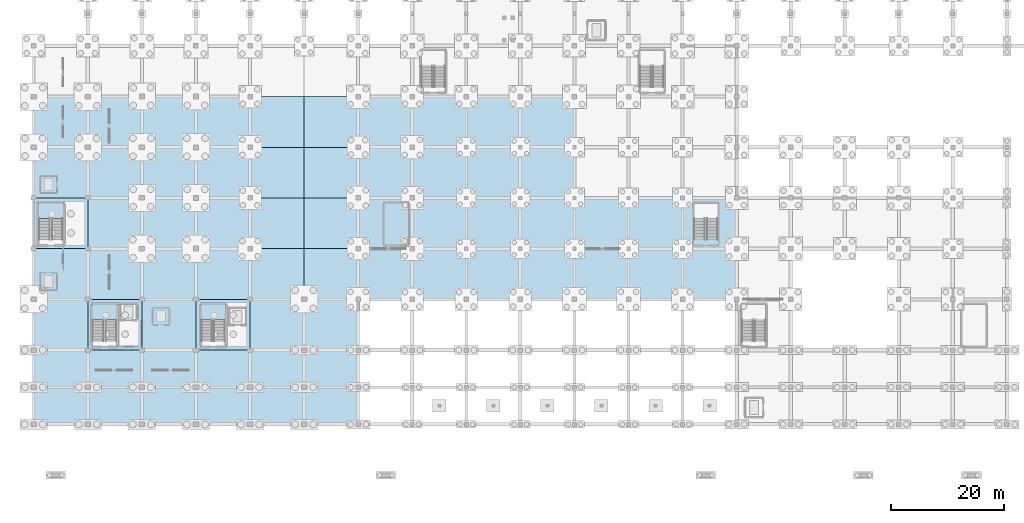
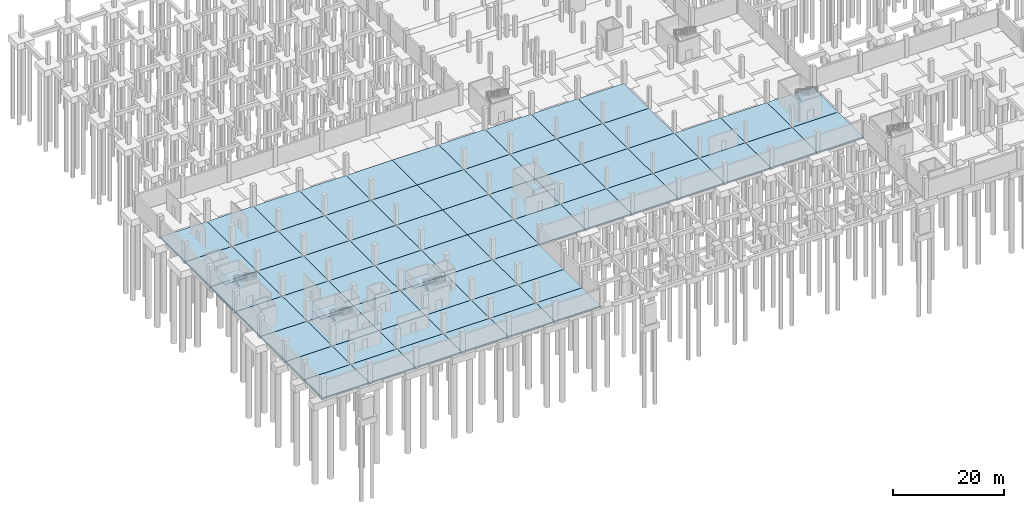
# One storey, part 22 of 39: 67 slabs, 3 elements without a shape of their own.
"""IFC4 building model written with IfcOpenShell, lengths in metres."""

import ifcopenshell
import ifcopenshell.guid

model = None  # the IFC model being written
_history = None  # IfcOwnerHistory: only IFC2X3 demands one
_inside = {}  # id of a spatial element -> (the spatial element, [elements in it])
_under = {}  # id of a project, library or spatial element -> (it, [spatial elements below it])
_declared = {}  # id of a project -> (the project, [libraries it declares])
_typed = {}  # id of a type object -> (the type object, [elements of that type])
_made_of = {}  # id of a material, layer set ... -> (it, [elements and type objects made of it])


def new_model(schema):
    """Start an empty IFC model of exactly this schema.

    Asked for "IFC4X3", IfcOpenShell would pick the latest addendum, in which some entities
    have other attributes; the version numbers below select the first issue.
    IFC2X3 requires an IfcOwnerHistory on every rooted entity: one is made here for all.
    """
    global model, _history
    if schema == "IFC4X3":
        model = ifcopenshell.file(schema_version=(4, 3, 0, 0))
    else:
        model = ifcopenshell.file(schema=schema)
    _inside.clear()
    _under.clear()
    _declared.clear()
    _typed.clear()
    _made_of.clear()
    _history = None
    if model.schema == "IFC2X3":
        org = make("IfcOrganization", Name="unknown")
        user = make(
            "IfcPersonAndOrganization",
            ThePerson=make("IfcPerson", FamilyName="unknown"),
            TheOrganization=org,
        )
        app = make(
            "IfcApplication",
            ApplicationDeveloper=org,
            Version="unknown",
            ApplicationFullName="unknown",
            ApplicationIdentifier="unknown",
        )
        _history = make(
            "IfcOwnerHistory",
            OwningUser=user,
            OwningApplication=app,
            ChangeAction="ADDED",
            CreationDate=0,
        )
    return model


def make(cls, **values):
    """One entity of the class cls with the attributes given. An attribute that is None is left unset."""
    return model.create_entity(
        cls, **{name: value for name, value in values.items() if value is not None}
    )


def rooted(cls, **values):
    """An entity with a GlobalId (a new one), such as an element, a storey or a relation."""
    return make(cls, GlobalId=ifcopenshell.guid.new(), OwnerHistory=_history, **values)


def si_unit(unit_type, name, prefix=None):
    """IfcSIUnit, for example si_unit("LENGTHUNIT", "METRE", prefix="MILLI")."""
    return make("IfcSIUnit", UnitType=unit_type, Prefix=prefix, Name=name)


def assignment(units):
    """IfcUnitAssignment: the units of a project."""
    return None if units is None else make("IfcUnitAssignment", Units=units)


def point(xyz):
    """IfcCartesianPoint."""
    return None if xyz is None else make("IfcCartesianPoint", Coordinates=xyz)


def direction(xyz):
    """IfcDirection."""
    return None if xyz is None else make("IfcDirection", DirectionRatios=xyz)


def frame(location, z_axis=None, x_axis=None):
    """IfcAxis2Placement3D, a coordinate frame: its origin and axes. An axis left out is left unset."""
    return make(
        "IfcAxis2Placement3D",
        Location=point(location),
        Axis=direction(z_axis),
        RefDirection=direction(x_axis),
    )


def origin():
    """The frame at (0, 0, 0) with its axes left unset."""
    return frame((0.0, 0.0, 0.0))


def place(relative_to, where):
    """IfcLocalPlacement: puts the frame where relative to a parent placement (None: the world)."""
    return make(
        "IfcLocalPlacement", PlacementRelTo=relative_to, RelativePlacement=where
    )


def context(
    kind, dimensions, precision=None, world=None, true_north=None, identifier=None
):
    """IfcGeometricRepresentationContext, for example the 3D "Model" context."""
    return make(
        "IfcGeometricRepresentationContext",
        ContextIdentifier=identifier,
        ContextType=kind,
        CoordinateSpaceDimension=dimensions,
        Precision=precision,
        WorldCoordinateSystem=world,
        TrueNorth=true_north,
    )


def subcontext(parent, identifier, kind, view, scale=None):
    """IfcGeometricRepresentationSubContext, for example "Body" below "Model"."""
    return make(
        "IfcGeometricRepresentationSubContext",
        ContextIdentifier=identifier,
        ContextType=kind,
        ParentContext=parent,
        TargetScale=scale,
        TargetView=view,
    )


def project(units=None, contexts=None):
    """IfcProject with its units and contexts."""
    return rooted(
        "IfcProject",
        Name="project",
        RepresentationContexts=contexts,
        UnitsInContext=assignment(units),
    )


def spatial(cls, under=None, at=None, **own):
    """A site, building, storey or space (cls), placed at a placement, below another one or the project."""
    s = rooted(cls, ObjectPlacement=at, **own)
    if under is not None:
        _under.setdefault(under.id(), (under, []))[1].append(s)
    return s


def polyline(points):
    """IfcPolyline through the points."""
    return make("IfcPolyline", Points=[point(p) for p in points])


def outline(outer, holes=None, kind="AREA"):
    """IfcArbitraryClosedProfileDef: a profile drawn as a closed curve; with holes, ...WithVoids."""
    if holes is None:
        return make("IfcArbitraryClosedProfileDef", ProfileType=kind, OuterCurve=outer)
    return make(
        "IfcArbitraryProfileDefWithVoids",
        ProfileType=kind,
        OuterCurve=outer,
        InnerCurves=holes,
    )


def extrude(swept, where, along, depth):
    """IfcExtrudedAreaSolid: the profile swept, set in the frame where, extruded along a direction by depth."""
    return make(
        "IfcExtrudedAreaSolid",
        SweptArea=swept,
        Position=where,
        ExtrudedDirection=direction(along),
        Depth=depth,
    )


def shape(context_of_items, identifier, shape_type, items):
    """IfcShapeRepresentation: the items that make up one representation, for example the "Body"."""
    return make(
        "IfcShapeRepresentation",
        ContextOfItems=context_of_items,
        RepresentationIdentifier=identifier,
        RepresentationType=shape_type,
        Items=items,
    )


def material(Name=None, Category=None):
    """IfcMaterial."""
    return make("IfcMaterial", Name=Name, Category=Category)


def layer(
    of_material, thickness, ventilated=None, Name=None, Category=None, Priority=None
):
    """IfcMaterialLayer: one layer of a wall or slab, of a material (None: an air gap)."""
    return make(
        "IfcMaterialLayer",
        Material=of_material,
        LayerThickness=thickness,
        IsVentilated=ventilated,
        Name=Name,
        Category=Category,
        Priority=Priority,
    )


def layer_set(layers, Name=None):
    """IfcMaterialLayerSet."""
    return make("IfcMaterialLayerSet", MaterialLayers=layers, LayerSetName=Name)


def made_of(thing, what):
    """Note that an element or type object is made of a material, layer set ...; save() writes the relation."""
    if what is not None:
        _made_of.setdefault(what.id(), (what, []))[1].append(thing)
    return thing


def type_object(cls, material=None, **own):
    """A type object (cls), such as IfcWallType, which elements share."""
    return made_of(rooted(cls, **own), material)


def element(
    cls,
    number,
    at=None,
    inside=None,
    cuts=None,
    type_object=None,
    material=None,
    context=None,
    identifier="Body",
    shape_type=None,
    held_by="IfcProductDefinitionShape",
    body=None,
    shapes=None,
    **own,
):
    """One element of the class cls, such as IfcWall. Its Tag is "e" and its number.

    at: its placement. inside: the storey or other place that contains it. cuts: it is an
    opening in that element (IfcRelVoidsElement). A single representation is given by context,
    identifier, shape_type and body (its items); several are given by shapes. held_by: the class
    of the entity that holds the representations. save() writes the other relations.
    """
    e = rooted(cls, Tag="e%d" % number, ObjectPlacement=at, **own)
    if body is not None:
        shapes = [shape(context, identifier, shape_type, body)]
    if shapes is not None:
        e.Representation = make(held_by, Representations=shapes)
    if inside is not None:
        _inside.setdefault(inside.id(), (inside, []))[1].append(e)
    if cuts is not None:
        rooted(
            "IfcRelVoidsElement", RelatingBuildingElement=cuts, RelatedOpeningElement=e
        )
    if type_object is not None:
        _typed.setdefault(type_object.id(), (type_object, []))[1].append(e)
    return made_of(e, material)


def aggregate(whole, parts):
    """IfcRelAggregates: a whole, such as a stair, and the parts it consists of."""
    return rooted("IfcRelAggregates", RelatingObject=whole, RelatedObjects=parts)


def save(model, path):
    """Write the relations noted so far, then the file.

    IfcRelAggregates (storeys below a building ...), IfcRelContainedInSpatialStructure (elements
    in a storey), IfcRelDefinesByType, IfcRelAssociatesMaterial and IfcRelDeclares: one each for
    every whole, place, type object, material and project.
    """
    for whole, parts in _under.values():
        aggregate(whole, parts)
    for where, things in _inside.values():
        rooted(
            "IfcRelContainedInSpatialStructure",
            RelatedElements=things,
            RelatingStructure=where,
        )
    for kind, things in _typed.values():
        rooted("IfcRelDefinesByType", RelatedObjects=things, RelatingType=kind)
    for what, things in _made_of.values():
        rooted("IfcRelAssociatesMaterial", RelatedObjects=things, RelatingMaterial=what)
    for by, libraries in _declared.values():
        rooted("IfcRelDeclares", RelatingContext=by, RelatedDefinitions=libraries)
    model.write(path)


model = new_model("IFC4")

# Units and contexts
model_context = context("Model", 3, precision=1e-05, world=origin(), true_north=direction((0.0, 1.0)))
body_context = subcontext(model_context, "Body", "Model", "MODEL_VIEW")
ifc_project = project(units=[si_unit("LENGTHUNIT", "METRE"), si_unit("AREAUNIT", "SQUARE_METRE"), si_unit("VOLUMEUNIT", "CUBIC_METRE"), si_unit("PLANEANGLEUNIT", "RADIAN"), si_unit("MASSUNIT", "GRAM", prefix="KILO")], contexts=[model_context])

# Site, building, storey
site_placement = place(None, origin())
site = spatial("IfcSite", under=ifc_project, at=site_placement, CompositionType="ELEMENT")
building_placement = place(site_placement, origin())
building = spatial("IfcBuilding", under=site, at=building_placement, Name="Zarnetskaya Central Station", CompositionType="ELEMENT")
storey_placement = place(building_placement, frame((0.0, 0.0, -4.800048828125)))
storey = spatial("IfcBuildingStorey", under=building, at=storey_placement, Name="B1", CompositionType="ELEMENT", Elevation=-4.800048828125)

# Slabs
ifc_material = material(Name="Concrete C30/37", Category="concrete")
ifc_layer_1 = layer(ifc_material, 0.39990234375, Name="Concrete C30/37", Category="concrete")
ifc_layer_set_1 = layer_set([ifc_layer_1], Name="Concrete C30/37")
slab_type_1 = type_object("IfcSlabType", Name="SLAB-B1-400", PredefinedType="BASESLAB", material=ifc_layer_set_1)
slab_1_placement = place(storey_placement, frame((0.0, 0.0, -0.39990234375)))
element("IfcSlab", 1, at=slab_1_placement, inside=storey, type_object=slab_type_1, Name="B1 slab A-B/1-2", PredefinedType="BASESLAB", context=body_context, shape_type="SweptSolid", body=[
    extrude(outline(polyline([(0.0, 0.0), (9.60009765625, 0.0), (9.60009765625, 6.60009765625), (0.0, 6.60009765625), (0.0, 0.0)])), origin(), (0.0, 0.0, 1.0), 0.39990234375),
])
slab_2_placement = place(storey_placement, frame((0.0, 0.0, -0.39990234375)))
element("IfcSlab", 2, at=slab_2_placement, inside=storey, type_object=slab_type_1, Name="B1 slab A-B/2-3", PredefinedType="BASESLAB", context=body_context, shape_type="SweptSolid", body=[
    extrude(outline(polyline([(0.0, 6.60009765625), (9.60009765625, 6.60009765625), (9.60009765625, 13.199951171875), (0.0, 13.199951171875), (0.0, 6.60009765625)])), origin(), (0.0, 0.0, 1.0), 0.39990234375),
])
slab_3_placement = place(storey_placement, frame((0.0, 0.0, -0.39990234375)))
element("IfcSlab", 3, at=slab_3_placement, inside=storey, type_object=slab_type_1, Name="B1 slab A-B/3-4", PredefinedType="BASESLAB", context=body_context, shape_type="SweptSolid", body=[
    extrude(outline(polyline([(0.0, 13.199951171875), (9.60009765625, 13.199951171875), (9.60009765625, 22.199951171875), (0.0, 22.199951171875), (0.0, 13.199951171875)])), origin(), (0.0, 0.0, 1.0), 0.39990234375),
])
slab_4_placement = place(storey_placement, frame((0.0, 0.0, -0.39990234375)))
element("IfcSlab", 4, at=slab_4_placement, inside=storey, type_object=slab_type_1, Name="B1 slab A-B/4-5", PredefinedType="BASESLAB", context=body_context, shape_type="SweptSolid", body=[
    extrude(outline(polyline([(0.0, 22.199951171875), (9.60009765625, 22.199951171875), (9.60009765625, 31.199951171875), (0.0, 31.199951171875), (0.0, 22.199951171875)])), origin(), (0.0, 0.0, 1.0), 0.39990234375),
])
slab_5_placement = place(storey_placement, frame((0.0, 0.0, -0.39990234375)))
element("IfcSlab", 5, at=slab_5_placement, inside=storey, type_object=slab_type_1, Name="B1 slab A-B/5-6", PredefinedType="BASESLAB", context=body_context, shape_type="SweptSolid", body=[
    extrude(outline(polyline([(0.0, 31.199951171875), (9.60009765625, 31.199951171875), (9.60009765625, 40.199951171875), (0.0, 40.199951171875), (0.0, 31.199951171875)])), origin(), (0.0, 0.0, 1.0), 0.39990234375),
])
slab_6_placement = place(storey_placement, frame((0.0, 0.0, -0.39990234375)))
element("IfcSlab", 6, at=slab_6_placement, inside=storey, type_object=slab_type_1, Name="B1 slab A-B/6-7", PredefinedType="BASESLAB", context=body_context, shape_type="SweptSolid", body=[
    extrude(outline(polyline([(0.0, 40.199951171875), (9.60009765625, 40.199951171875), (9.60009765625, 49.199951171875), (0.0, 49.199951171875), (0.0, 40.199951171875)])), origin(), (0.0, 0.0, 1.0), 0.39990234375),
])
slab_7_placement = place(storey_placement, frame((0.0, 0.0, -0.39990234375)))
element("IfcSlab", 7, at=slab_7_placement, inside=storey, type_object=slab_type_1, Name="B1 slab A-B/7-8", PredefinedType="BASESLAB", context=body_context, shape_type="SweptSolid", body=[
    extrude(outline(polyline([(0.0, 49.199951171875), (9.60009765625, 49.199951171875), (9.60009765625, 58.199951171875), (0.0, 58.199951171875), (0.0, 49.199951171875)])), origin(), (0.0, 0.0, 1.0), 0.39990234375),
])
slab_8_placement = place(storey_placement, frame((0.0, 0.0, -0.39990234375)))
element("IfcSlab", 8, at=slab_8_placement, inside=storey, type_object=slab_type_1, Name="B1 slab B-C/1-2", PredefinedType="BASESLAB", context=body_context, shape_type="SweptSolid", body=[
    extrude(outline(polyline([(9.60009765625, 0.0), (19.199951171875, 0.0), (19.199951171875, 6.60009765625), (9.60009765625, 6.60009765625), (9.60009765625, 0.0)])), origin(), (0.0, 0.0, 1.0), 0.39990234375),
])
slab_9_placement = place(storey_placement, frame((0.0, 0.0, -0.39990234375)))
element("IfcSlab", 9, at=slab_9_placement, inside=storey, type_object=slab_type_1, Name="B1 slab B-C/2-3", PredefinedType="BASESLAB", context=body_context, shape_type="SweptSolid", body=[
    extrude(outline(polyline([(9.60009765625, 6.60009765625), (19.199951171875, 6.60009765625), (19.199951171875, 13.199951171875), (9.60009765625, 13.199951171875), (9.60009765625, 6.60009765625)])), origin(), (0.0, 0.0, 1.0), 0.39990234375),
])
slab_10_placement = place(storey_placement, frame((0.0, 0.0, -0.39990234375)))
element("IfcSlab", 10, at=slab_10_placement, inside=storey, type_object=slab_type_1, Name="B1 slab B-C/3-4", PredefinedType="BASESLAB", context=body_context, shape_type="SweptSolid", body=[
    extrude(outline(polyline([(9.60009765625, 13.199951171875), (19.199951171875, 13.199951171875), (19.199951171875, 22.199951171875), (9.60009765625, 22.199951171875), (9.60009765625, 13.199951171875)])), origin(), (0.0, 0.0, 1.0), 0.39990234375),
])
slab_11_placement = place(storey_placement, frame((0.0, 0.0, -0.39990234375)))
element("IfcSlab", 11, at=slab_11_placement, inside=storey, type_object=slab_type_1, Name="B1 slab B-C/4-5", PredefinedType="BASESLAB", context=body_context, shape_type="SweptSolid", body=[
    extrude(outline(polyline([(9.60009765625, 22.199951171875), (19.199951171875, 22.199951171875), (19.199951171875, 31.199951171875), (9.60009765625, 31.199951171875), (9.60009765625, 22.199951171875)])), origin(), (0.0, 0.0, 1.0), 0.39990234375),
])
slab_12_placement = place(storey_placement, frame((0.0, 0.0, -0.39990234375)))
element("IfcSlab", 12, at=slab_12_placement, inside=storey, type_object=slab_type_1, Name="B1 slab B-C/5-6", PredefinedType="BASESLAB", context=body_context, shape_type="SweptSolid", body=[
    extrude(outline(polyline([(9.60009765625, 31.199951171875), (19.199951171875, 31.199951171875), (19.199951171875, 40.199951171875), (9.60009765625, 40.199951171875), (9.60009765625, 31.199951171875)])), origin(), (0.0, 0.0, 1.0), 0.39990234375),
])
slab_13_placement = place(storey_placement, frame((0.0, 0.0, -0.39990234375)))
element("IfcSlab", 13, at=slab_13_placement, inside=storey, type_object=slab_type_1, Name="B1 slab B-C/6-7", PredefinedType="BASESLAB", context=body_context, shape_type="SweptSolid", body=[
    extrude(outline(polyline([(9.60009765625, 40.199951171875), (19.199951171875, 40.199951171875), (19.199951171875, 49.199951171875), (9.60009765625, 49.199951171875), (9.60009765625, 40.199951171875)])), origin(), (0.0, 0.0, 1.0), 0.39990234375),
])
slab_14_placement = place(storey_placement, frame((0.0, 0.0, -0.39990234375)))
element("IfcSlab", 14, at=slab_14_placement, inside=storey, type_object=slab_type_1, Name="B1 slab B-C/7-8", PredefinedType="BASESLAB", context=body_context, shape_type="SweptSolid", body=[
    extrude(outline(polyline([(9.60009765625, 49.199951171875), (19.199951171875, 49.199951171875), (19.199951171875, 58.199951171875), (9.60009765625, 58.199951171875), (9.60009765625, 49.199951171875)])), origin(), (0.0, 0.0, 1.0), 0.39990234375),
])
slab_15_placement = place(storey_placement, frame((0.0, 0.0, -0.39990234375)))
element("IfcSlab", 15, at=slab_15_placement, inside=storey, type_object=slab_type_1, Name="B1 slab C-D/1-2", PredefinedType="BASESLAB", context=body_context, shape_type="SweptSolid", body=[
    extrude(outline(polyline([(19.199951171875, 0.0), (28.800048828125, 0.0), (28.800048828125, 6.60009765625), (19.199951171875, 6.60009765625), (19.199951171875, 0.0)])), origin(), (0.0, 0.0, 1.0), 0.39990234375),
])
slab_16_placement = place(storey_placement, frame((0.0, 0.0, -0.39990234375)))
element("IfcSlab", 16, at=slab_16_placement, inside=storey, type_object=slab_type_1, Name="B1 slab C-D/2-3", PredefinedType="BASESLAB", context=body_context, shape_type="SweptSolid", body=[
    extrude(outline(polyline([(19.199951171875, 6.60009765625), (28.800048828125, 6.60009765625), (28.800048828125, 13.199951171875), (19.199951171875, 13.199951171875), (19.199951171875, 6.60009765625)])), origin(), (0.0, 0.0, 1.0), 0.39990234375),
])
slab_17_placement = place(storey_placement, frame((0.0, 0.0, -0.39990234375)))
element("IfcSlab", 17, at=slab_17_placement, inside=storey, type_object=slab_type_1, Name="B1 slab C-D/3-4", PredefinedType="BASESLAB", context=body_context, shape_type="SweptSolid", body=[
    extrude(outline(polyline([(19.199951171875, 13.199951171875), (28.800048828125, 13.199951171875), (28.800048828125, 22.199951171875), (19.199951171875, 22.199951171875), (19.199951171875, 13.199951171875)])), origin(), (0.0, 0.0, 1.0), 0.39990234375),
])
slab_18_placement = place(storey_placement, frame((0.0, 0.0, -0.39990234375)))
element("IfcSlab", 18, at=slab_18_placement, inside=storey, type_object=slab_type_1, Name="B1 slab C-D/4-5", PredefinedType="BASESLAB", context=body_context, shape_type="SweptSolid", body=[
    extrude(outline(polyline([(19.199951171875, 22.199951171875), (28.800048828125, 22.199951171875), (28.800048828125, 31.199951171875), (19.199951171875, 31.199951171875), (19.199951171875, 22.199951171875)])), origin(), (0.0, 0.0, 1.0), 0.39990234375),
])
slab_19_placement = place(storey_placement, frame((0.0, 0.0, -0.39990234375)))
element("IfcSlab", 19, at=slab_19_placement, inside=storey, type_object=slab_type_1, Name="B1 slab C-D/5-6", PredefinedType="BASESLAB", context=body_context, shape_type="SweptSolid", body=[
    extrude(outline(polyline([(19.199951171875, 31.199951171875), (28.800048828125, 31.199951171875), (28.800048828125, 40.199951171875), (19.199951171875, 40.199951171875), (19.199951171875, 31.199951171875)])), origin(), (0.0, 0.0, 1.0), 0.39990234375),
])
slab_20_placement = place(storey_placement, frame((0.0, 0.0, -0.39990234375)))
element("IfcSlab", 20, at=slab_20_placement, inside=storey, type_object=slab_type_1, Name="B1 slab C-D/6-7", PredefinedType="BASESLAB", context=body_context, shape_type="SweptSolid", body=[
    extrude(outline(polyline([(19.199951171875, 40.199951171875), (28.800048828125, 40.199951171875), (28.800048828125, 49.199951171875), (19.199951171875, 49.199951171875), (19.199951171875, 40.199951171875)])), origin(), (0.0, 0.0, 1.0), 0.39990234375),
])
slab_21_placement = place(storey_placement, frame((0.0, 0.0, -0.39990234375)))
element("IfcSlab", 21, at=slab_21_placement, inside=storey, type_object=slab_type_1, Name="B1 slab C-D/7-8", PredefinedType="BASESLAB", context=body_context, shape_type="SweptSolid", body=[
    extrude(outline(polyline([(19.199951171875, 49.199951171875), (28.800048828125, 49.199951171875), (28.800048828125, 58.199951171875), (19.199951171875, 58.199951171875), (19.199951171875, 49.199951171875)])), origin(), (0.0, 0.0, 1.0), 0.39990234375),
])
slab_22_placement = place(storey_placement, frame((0.0, 0.0, -0.39990234375)))
element("IfcSlab", 22, at=slab_22_placement, inside=storey, type_object=slab_type_1, Name="B1 slab D-E/1-2", PredefinedType="BASESLAB", context=body_context, shape_type="SweptSolid", body=[
    extrude(outline(polyline([(28.800048828125, 0.0), (38.39990234375, 0.0), (38.39990234375, 6.60009765625), (28.800048828125, 6.60009765625), (28.800048828125, 0.0)])), origin(), (0.0, 0.0, 1.0), 0.39990234375),
])
slab_23_placement = place(storey_placement, frame((0.0, 0.0, -0.39990234375)))
element("IfcSlab", 23, at=slab_23_placement, inside=storey, type_object=slab_type_1, Name="B1 slab D-E/2-3", PredefinedType="BASESLAB", context=body_context, shape_type="SweptSolid", body=[
    extrude(outline(polyline([(28.800048828125, 6.60009765625), (38.39990234375, 6.60009765625), (38.39990234375, 13.199951171875), (28.800048828125, 13.199951171875), (28.800048828125, 6.60009765625)])), origin(), (0.0, 0.0, 1.0), 0.39990234375),
])
slab_24_placement = place(storey_placement, frame((0.0, 0.0, -0.39990234375)))
element("IfcSlab", 24, at=slab_24_placement, inside=storey, type_object=slab_type_1, Name="B1 slab D-E/3-4", PredefinedType="BASESLAB", context=body_context, shape_type="SweptSolid", body=[
    extrude(outline(polyline([(28.800048828125, 13.199951171875), (38.39990234375, 13.199951171875), (38.39990234375, 22.199951171875), (28.800048828125, 22.199951171875), (28.800048828125, 13.199951171875)])), origin(), (0.0, 0.0, 1.0), 0.39990234375),
])
slab_25_placement = place(storey_placement, frame((0.0, 0.0, -0.39990234375)))
element("IfcSlab", 25, at=slab_25_placement, inside=storey, type_object=slab_type_1, Name="B1 slab D-E/4-5", PredefinedType="BASESLAB", context=body_context, shape_type="SweptSolid", body=[
    extrude(outline(polyline([(28.800048828125, 22.199951171875), (38.39990234375, 22.199951171875), (38.39990234375, 31.199951171875), (28.800048828125, 31.199951171875), (28.800048828125, 22.199951171875)])), origin(), (0.0, 0.0, 1.0), 0.39990234375),
])
slab_26_placement = place(storey_placement, frame((0.0, 0.0, -0.39990234375)))
element("IfcSlab", 26, at=slab_26_placement, inside=storey, type_object=slab_type_1, Name="B1 slab D-E/5-6", PredefinedType="BASESLAB", context=body_context, shape_type="SweptSolid", body=[
    extrude(outline(polyline([(28.800048828125, 31.199951171875), (38.39990234375, 31.199951171875), (38.39990234375, 40.199951171875), (28.800048828125, 40.199951171875), (28.800048828125, 31.199951171875)])), origin(), (0.0, 0.0, 1.0), 0.39990234375),
])
slab_27_placement = place(storey_placement, frame((0.0, 0.0, -0.39990234375)))
element("IfcSlab", 27, at=slab_27_placement, inside=storey, type_object=slab_type_1, Name="B1 slab D-E/6-7", PredefinedType="BASESLAB", context=body_context, shape_type="SweptSolid", body=[
    extrude(outline(polyline([(28.800048828125, 40.199951171875), (38.39990234375, 40.199951171875), (38.39990234375, 49.199951171875), (28.800048828125, 49.199951171875), (28.800048828125, 40.199951171875)])), origin(), (0.0, 0.0, 1.0), 0.39990234375),
])
slab_28_placement = place(storey_placement, frame((0.0, 0.0, -0.39990234375)))
element("IfcSlab", 28, at=slab_28_placement, inside=storey, type_object=slab_type_1, Name="B1 slab D-E/7-8", PredefinedType="BASESLAB", context=body_context, shape_type="SweptSolid", body=[
    extrude(outline(polyline([(28.800048828125, 49.199951171875), (38.39990234375, 49.199951171875), (38.39990234375, 58.199951171875), (28.800048828125, 58.199951171875), (28.800048828125, 49.199951171875)])), origin(), (0.0, 0.0, 1.0), 0.39990234375),
])
slab_29_placement = place(storey_placement, frame((0.0, 0.0, -0.39990234375)))
element("IfcSlab", 29, at=slab_29_placement, inside=storey, type_object=slab_type_1, Name="B1 slab E-F/1-2", PredefinedType="BASESLAB", context=body_context, shape_type="SweptSolid", body=[
    extrude(outline(polyline([(38.39990234375, 0.0), (48.0, 0.0), (48.0, 6.60009765625), (38.39990234375, 6.60009765625), (38.39990234375, 0.0)])), origin(), (0.0, 0.0, 1.0), 0.39990234375),
])
slab_30_placement = place(storey_placement, frame((0.0, 0.0, -0.39990234375)))
element("IfcSlab", 30, at=slab_30_placement, inside=storey, type_object=slab_type_1, Name="B1 slab E-F/2-3", PredefinedType="BASESLAB", context=body_context, shape_type="SweptSolid", body=[
    extrude(outline(polyline([(38.39990234375, 6.60009765625), (48.0, 6.60009765625), (48.0, 13.199951171875), (38.39990234375, 13.199951171875), (38.39990234375, 6.60009765625)])), origin(), (0.0, 0.0, 1.0), 0.39990234375),
])
slab_31_placement = place(storey_placement, frame((0.0, 0.0, -0.39990234375)))
element("IfcSlab", 31, at=slab_31_placement, inside=storey, type_object=slab_type_1, Name="B1 slab E-F/3-4", PredefinedType="BASESLAB", context=body_context, shape_type="SweptSolid", body=[
    extrude(outline(polyline([(38.39990234375, 13.199951171875), (48.0, 13.199951171875), (48.0, 22.199951171875), (38.39990234375, 22.199951171875), (38.39990234375, 13.199951171875)])), origin(), (0.0, 0.0, 1.0), 0.39990234375),
])
slab_32_placement = place(storey_placement, frame((0.0, 0.0, -0.39990234375)))
element("IfcSlab", 32, at=slab_32_placement, inside=storey, type_object=slab_type_1, Name="B1 slab E-F/4-5", PredefinedType="BASESLAB", context=body_context, shape_type="SweptSolid", body=[
    extrude(outline(polyline([(38.39990234375, 22.199951171875), (48.0, 22.199951171875), (48.0, 31.199951171875), (38.39990234375, 31.199951171875), (38.39990234375, 22.199951171875)])), origin(), (0.0, 0.0, 1.0), 0.39990234375),
])
slab_33_placement = place(storey_placement, frame((0.0, 0.0, -0.39990234375)))
element("IfcSlab", 33, at=slab_33_placement, inside=storey, type_object=slab_type_1, Name="B1 slab E-F/5-6", PredefinedType="BASESLAB", context=body_context, shape_type="SweptSolid", body=[
    extrude(outline(polyline([(38.39990234375, 31.199951171875), (48.0, 31.199951171875), (48.0, 40.199951171875), (38.39990234375, 40.199951171875), (38.39990234375, 31.199951171875)])), origin(), (0.0, 0.0, 1.0), 0.39990234375),
])
slab_34_placement = place(storey_placement, frame((0.0, 0.0, -0.39990234375)))
element("IfcSlab", 34, at=slab_34_placement, inside=storey, type_object=slab_type_1, Name="B1 slab E-F/6-7", PredefinedType="BASESLAB", context=body_context, shape_type="SweptSolid", body=[
    extrude(outline(polyline([(38.39990234375, 40.199951171875), (48.0, 40.199951171875), (48.0, 49.199951171875), (38.39990234375, 49.199951171875), (38.39990234375, 40.199951171875)])), origin(), (0.0, 0.0, 1.0), 0.39990234375),
])
slab_35_placement = place(storey_placement, frame((0.0, 0.0, -0.39990234375)))
element("IfcSlab", 35, at=slab_35_placement, inside=storey, type_object=slab_type_1, Name="B1 slab E-F/7-8", PredefinedType="BASESLAB", context=body_context, shape_type="SweptSolid", body=[
    extrude(outline(polyline([(38.39990234375, 49.199951171875), (48.0, 49.199951171875), (48.0, 58.199951171875), (38.39990234375, 58.199951171875), (38.39990234375, 49.199951171875)])), origin(), (0.0, 0.0, 1.0), 0.39990234375),
])
slab_36_placement = place(storey_placement, frame((0.0, 0.0, -0.39990234375)))
element("IfcSlab", 36, at=slab_36_placement, inside=storey, type_object=slab_type_1, Name="B1 slab F-G/1-2", PredefinedType="BASESLAB", context=body_context, shape_type="SweptSolid", body=[
    extrude(outline(polyline([(48.0, 0.0), (57.60009765625, 0.0), (57.60009765625, 6.60009765625), (48.0, 6.60009765625), (48.0, 0.0)])), origin(), (0.0, 0.0, 1.0), 0.39990234375),
])
slab_37_placement = place(storey_placement, frame((0.0, 0.0, -0.39990234375)))
element("IfcSlab", 37, at=slab_37_placement, inside=storey, type_object=slab_type_1, Name="B1 slab F-G/2-3", PredefinedType="BASESLAB", context=body_context, shape_type="SweptSolid", body=[
    extrude(outline(polyline([(48.0, 6.60009765625), (57.60009765625, 6.60009765625), (57.60009765625, 13.199951171875), (48.0, 13.199951171875), (48.0, 6.60009765625)])), origin(), (0.0, 0.0, 1.0), 0.39990234375),
])
slab_38_placement = place(storey_placement, frame((0.0, 0.0, -0.39990234375)))
element("IfcSlab", 38, at=slab_38_placement, inside=storey, type_object=slab_type_1, Name="B1 slab F-G/3-4", PredefinedType="BASESLAB", context=body_context, shape_type="SweptSolid", body=[
    extrude(outline(polyline([(48.0, 13.199951171875), (57.60009765625, 13.199951171875), (57.60009765625, 22.199951171875), (48.0, 22.199951171875), (48.0, 13.199951171875)])), origin(), (0.0, 0.0, 1.0), 0.39990234375),
])
slab_39_placement = place(storey_placement, frame((0.0, 0.0, -0.39990234375)))
element("IfcSlab", 39, at=slab_39_placement, inside=storey, type_object=slab_type_1, Name="B1 slab F-G/4-5", PredefinedType="BASESLAB", context=body_context, shape_type="SweptSolid", body=[
    extrude(outline(polyline([(48.0, 22.199951171875), (57.60009765625, 22.199951171875), (57.60009765625, 31.199951171875), (48.0, 31.199951171875), (48.0, 22.199951171875)])), origin(), (0.0, 0.0, 1.0), 0.39990234375),
])
slab_40_placement = place(storey_placement, frame((0.0, 0.0, -0.39990234375)))
element("IfcSlab", 40, at=slab_40_placement, inside=storey, type_object=slab_type_1, Name="B1 slab F-G/5-6", PredefinedType="BASESLAB", context=body_context, shape_type="SweptSolid", body=[
    extrude(outline(polyline([(48.0, 31.199951171875), (57.60009765625, 31.199951171875), (57.60009765625, 40.199951171875), (48.0, 40.199951171875), (48.0, 31.199951171875)])), origin(), (0.0, 0.0, 1.0), 0.39990234375),
])
slab_41_placement = place(storey_placement, frame((0.0, 0.0, -0.39990234375)))
element("IfcSlab", 41, at=slab_41_placement, inside=storey, type_object=slab_type_1, Name="B1 slab F-G/6-7", PredefinedType="BASESLAB", context=body_context, shape_type="SweptSolid", body=[
    extrude(outline(polyline([(48.0, 40.199951171875), (57.60009765625, 40.199951171875), (57.60009765625, 49.199951171875), (48.0, 49.199951171875), (48.0, 40.199951171875)])), origin(), (0.0, 0.0, 1.0), 0.39990234375),
])
slab_42_placement = place(storey_placement, frame((0.0, 0.0, -0.39990234375)))
element("IfcSlab", 42, at=slab_42_placement, inside=storey, type_object=slab_type_1, Name="B1 slab F-G/7-8", PredefinedType="BASESLAB", context=body_context, shape_type="SweptSolid", body=[
    extrude(outline(polyline([(48.0, 49.199951171875), (57.60009765625, 49.199951171875), (57.60009765625, 58.199951171875), (48.0, 58.199951171875), (48.0, 49.199951171875)])), origin(), (0.0, 0.0, 1.0), 0.39990234375),
])
slab_43_placement = place(storey_placement, frame((0.0, 0.0, -0.39990234375)))
element("IfcSlab", 43, at=slab_43_placement, inside=storey, type_object=slab_type_1, Name="B1 slab G-H/4-5", PredefinedType="BASESLAB", context=body_context, shape_type="SweptSolid", body=[
    extrude(outline(polyline([(57.60009765625, 22.199951171875), (67.199951171875, 22.199951171875), (67.199951171875, 31.199951171875), (57.60009765625, 31.199951171875), (57.60009765625, 22.199951171875)])), origin(), (0.0, 0.0, 1.0), 0.39990234375),
])
slab_44_placement = place(storey_placement, frame((0.0, 0.0, -0.39990234375)))
element("IfcSlab", 44, at=slab_44_placement, inside=storey, type_object=slab_type_1, Name="B1 slab G-H/5-6", PredefinedType="BASESLAB", context=body_context, shape_type="SweptSolid", body=[
    extrude(outline(polyline([(57.60009765625, 31.199951171875), (67.199951171875, 31.199951171875), (67.199951171875, 40.199951171875), (57.60009765625, 40.199951171875), (57.60009765625, 31.199951171875)])), origin(), (0.0, 0.0, 1.0), 0.39990234375),
])
slab_45_placement = place(storey_placement, frame((0.0, 0.0, -0.39990234375)))
element("IfcSlab", 45, at=slab_45_placement, inside=storey, type_object=slab_type_1, Name="B1 slab G-H/6-7", PredefinedType="BASESLAB", context=body_context, shape_type="SweptSolid", body=[
    extrude(outline(polyline([(57.60009765625, 40.199951171875), (67.199951171875, 40.199951171875), (67.199951171875, 49.199951171875), (57.60009765625, 49.199951171875), (57.60009765625, 40.199951171875)])), origin(), (0.0, 0.0, 1.0), 0.39990234375),
])
slab_46_placement = place(storey_placement, frame((0.0, 0.0, -0.39990234375)))
element("IfcSlab", 46, at=slab_46_placement, inside=storey, type_object=slab_type_1, Name="B1 slab G-H/7-8", PredefinedType="BASESLAB", context=body_context, shape_type="SweptSolid", body=[
    extrude(outline(polyline([(57.60009765625, 49.199951171875), (67.199951171875, 49.199951171875), (67.199951171875, 58.199951171875), (57.60009765625, 58.199951171875), (57.60009765625, 49.199951171875)])), origin(), (0.0, 0.0, 1.0), 0.39990234375),
])
slab_47_placement = place(storey_placement, frame((0.0, 0.0, -0.39990234375)))
element("IfcSlab", 47, at=slab_47_placement, inside=storey, type_object=slab_type_1, Name="B1 slab H-J/4-5", PredefinedType="BASESLAB", context=body_context, shape_type="SweptSolid", body=[
    extrude(outline(polyline([(67.199951171875, 22.199951171875), (76.800048828125, 22.199951171875), (76.800048828125, 31.199951171875), (67.199951171875, 31.199951171875), (67.199951171875, 22.199951171875)])), origin(), (0.0, 0.0, 1.0), 0.39990234375),
])
slab_48_placement = place(storey_placement, frame((0.0, 0.0, -0.39990234375)))
element("IfcSlab", 48, at=slab_48_placement, inside=storey, type_object=slab_type_1, Name="B1 slab H-J/5-6", PredefinedType="BASESLAB", context=body_context, shape_type="SweptSolid", body=[
    extrude(outline(polyline([(67.199951171875, 31.199951171875), (76.800048828125, 31.199951171875), (76.800048828125, 40.199951171875), (67.199951171875, 40.199951171875), (67.199951171875, 31.199951171875)])), origin(), (0.0, 0.0, 1.0), 0.39990234375),
])
slab_49_placement = place(storey_placement, frame((0.0, 0.0, -0.39990234375)))
element("IfcSlab", 49, at=slab_49_placement, inside=storey, type_object=slab_type_1, Name="B1 slab H-J/6-7", PredefinedType="BASESLAB", context=body_context, shape_type="SweptSolid", body=[
    extrude(outline(polyline([(67.199951171875, 40.199951171875), (76.800048828125, 40.199951171875), (76.800048828125, 49.199951171875), (67.199951171875, 49.199951171875), (67.199951171875, 40.199951171875)])), origin(), (0.0, 0.0, 1.0), 0.39990234375),
])
slab_50_placement = place(storey_placement, frame((0.0, 0.0, -0.39990234375)))
element("IfcSlab", 50, at=slab_50_placement, inside=storey, type_object=slab_type_1, Name="B1 slab H-J/7-8", PredefinedType="BASESLAB", context=body_context, shape_type="SweptSolid", body=[
    extrude(outline(polyline([(67.199951171875, 49.199951171875), (76.800048828125, 49.199951171875), (76.800048828125, 58.199951171875), (67.199951171875, 58.199951171875), (67.199951171875, 49.199951171875)])), origin(), (0.0, 0.0, 1.0), 0.39990234375),
])
slab_51_placement = place(storey_placement, frame((0.0, 0.0, -0.39990234375)))
element("IfcSlab", 51, at=slab_51_placement, inside=storey, type_object=slab_type_1, Name="B1 slab J-K/4-5", PredefinedType="BASESLAB", context=body_context, shape_type="SweptSolid", body=[
    extrude(outline(polyline([(76.800048828125, 22.199951171875), (86.39990234375, 22.199951171875), (86.39990234375, 31.199951171875), (76.800048828125, 31.199951171875), (76.800048828125, 22.199951171875)])), origin(), (0.0, 0.0, 1.0), 0.39990234375),
])
slab_52_placement = place(storey_placement, frame((0.0, 0.0, -0.39990234375)))
element("IfcSlab", 52, at=slab_52_placement, inside=storey, type_object=slab_type_1, Name="B1 slab J-K/5-6", PredefinedType="BASESLAB", context=body_context, shape_type="SweptSolid", body=[
    extrude(outline(polyline([(76.800048828125, 31.199951171875), (86.39990234375, 31.199951171875), (86.39990234375, 40.199951171875), (76.800048828125, 40.199951171875), (76.800048828125, 31.199951171875)])), origin(), (0.0, 0.0, 1.0), 0.39990234375),
])
slab_53_placement = place(storey_placement, frame((0.0, 0.0, -0.39990234375)))
element("IfcSlab", 53, at=slab_53_placement, inside=storey, type_object=slab_type_1, Name="B1 slab J-K/6-7", PredefinedType="BASESLAB", context=body_context, shape_type="SweptSolid", body=[
    extrude(outline(polyline([(76.800048828125, 40.199951171875), (86.39990234375, 40.199951171875), (86.39990234375, 49.199951171875), (76.800048828125, 49.199951171875), (76.800048828125, 40.199951171875)])), origin(), (0.0, 0.0, 1.0), 0.39990234375),
])
slab_54_placement = place(storey_placement, frame((0.0, 0.0, -0.39990234375)))
element("IfcSlab", 54, at=slab_54_placement, inside=storey, type_object=slab_type_1, Name="B1 slab J-K/7-8", PredefinedType="BASESLAB", context=body_context, shape_type="SweptSolid", body=[
    extrude(outline(polyline([(76.800048828125, 49.199951171875), (86.39990234375, 49.199951171875), (86.39990234375, 58.199951171875), (76.800048828125, 58.199951171875), (76.800048828125, 49.199951171875)])), origin(), (0.0, 0.0, 1.0), 0.39990234375),
])
slab_55_placement = place(storey_placement, frame((0.0, 0.0, -0.39990234375)))
element("IfcSlab", 55, at=slab_55_placement, inside=storey, type_object=slab_type_1, Name="B1 slab K-L/4-5", PredefinedType="BASESLAB", context=body_context, shape_type="SweptSolid", body=[
    extrude(outline(polyline([(86.39990234375, 22.199951171875), (96.0, 22.199951171875), (96.0, 31.199951171875), (86.39990234375, 31.199951171875), (86.39990234375, 22.199951171875)])), origin(), (0.0, 0.0, 1.0), 0.39990234375),
])
slab_56_placement = place(storey_placement, frame((0.0, 0.0, -0.39990234375)))
element("IfcSlab", 56, at=slab_56_placement, inside=storey, type_object=slab_type_1, Name="B1 slab K-L/5-6", PredefinedType="BASESLAB", context=body_context, shape_type="SweptSolid", body=[
    extrude(outline(polyline([(86.39990234375, 31.199951171875), (96.0, 31.199951171875), (96.0, 40.199951171875), (86.39990234375, 40.199951171875), (86.39990234375, 31.199951171875)])), origin(), (0.0, 0.0, 1.0), 0.39990234375),
])
slab_57_placement = place(storey_placement, frame((0.0, 0.0, -0.39990234375)))
element("IfcSlab", 57, at=slab_57_placement, inside=storey, type_object=slab_type_1, Name="B1 slab K-L/6-7", PredefinedType="BASESLAB", context=body_context, shape_type="SweptSolid", body=[
    extrude(outline(polyline([(86.39990234375, 40.199951171875), (96.0, 40.199951171875), (96.0, 49.199951171875), (86.39990234375, 49.199951171875), (86.39990234375, 40.199951171875)])), origin(), (0.0, 0.0, 1.0), 0.39990234375),
])
slab_58_placement = place(storey_placement, frame((0.0, 0.0, -0.39990234375)))
element("IfcSlab", 58, at=slab_58_placement, inside=storey, type_object=slab_type_1, Name="B1 slab K-L/7-8", PredefinedType="BASESLAB", context=body_context, shape_type="SweptSolid", body=[
    extrude(outline(polyline([(86.39990234375, 49.199951171875), (96.0, 49.199951171875), (96.0, 58.199951171875), (86.39990234375, 58.199951171875), (86.39990234375, 49.199951171875)])), origin(), (0.0, 0.0, 1.0), 0.39990234375),
])
slab_59_placement = place(storey_placement, frame((0.0, 0.0, -0.39990234375)))
element("IfcSlab", 59, at=slab_59_placement, inside=storey, type_object=slab_type_1, Name="B1 slab L-M/4-5", PredefinedType="BASESLAB", context=body_context, shape_type="SweptSolid", body=[
    extrude(outline(polyline([(96.0, 22.199951171875), (105.60009765625, 22.199951171875), (105.60009765625, 31.199951171875), (96.0, 31.199951171875), (96.0, 22.199951171875)])), origin(), (0.0, 0.0, 1.0), 0.39990234375),
])
slab_60_placement = place(storey_placement, frame((0.0, 0.0, -0.39990234375)))
element("IfcSlab", 60, at=slab_60_placement, inside=storey, type_object=slab_type_1, Name="B1 slab L-M/5-6", PredefinedType="BASESLAB", context=body_context, shape_type="SweptSolid", body=[
    extrude(outline(polyline([(96.0, 31.199951171875), (105.60009765625, 31.199951171875), (105.60009765625, 40.199951171875), (96.0, 40.199951171875), (96.0, 31.199951171875)])), origin(), (0.0, 0.0, 1.0), 0.39990234375),
])
slab_61_placement = place(storey_placement, frame((0.0, 0.0, -0.39990234375)))
element("IfcSlab", 61, at=slab_61_placement, inside=storey, type_object=slab_type_1, Name="B1 slab M-N/4-5", PredefinedType="BASESLAB", context=body_context, shape_type="SweptSolid", body=[
    extrude(outline(polyline([(105.60009765625, 22.199951171875), (115.199951171875, 22.199951171875), (115.199951171875, 31.199951171875), (105.60009765625, 31.199951171875), (105.60009765625, 22.199951171875)])), origin(), (0.0, 0.0, 1.0), 0.39990234375),
])
slab_62_placement = place(storey_placement, frame((0.0, 0.0, -0.39990234375)))
element("IfcSlab", 62, at=slab_62_placement, inside=storey, type_object=slab_type_1, Name="B1 slab M-N/5-6", PredefinedType="BASESLAB", context=body_context, shape_type="SweptSolid", body=[
    extrude(outline(polyline([(105.60009765625, 31.199951171875), (115.199951171875, 31.199951171875), (115.199951171875, 40.199951171875), (105.60009765625, 40.199951171875), (105.60009765625, 31.199951171875)])), origin(), (0.0, 0.0, 1.0), 0.39990234375),
])
slab_63_placement = place(storey_placement, frame((0.0, 0.0, -0.39990234375)))
element("IfcSlab", 63, at=slab_63_placement, inside=storey, type_object=slab_type_1, Name="B1 slab N-P/4-5", PredefinedType="BASESLAB", context=body_context, shape_type="SweptSolid", body=[
    extrude(outline(polyline([(115.199951171875, 22.199951171875), (124.800048828125, 22.199951171875), (124.800048828125, 31.199951171875), (115.199951171875, 31.199951171875), (115.199951171875, 22.199951171875)])), origin(), (0.0, 0.0, 1.0), 0.39990234375),
])
slab_64_placement = place(storey_placement, frame((0.0, 0.0, -0.39990234375)))
element("IfcSlab", 64, at=slab_64_placement, inside=storey, type_object=slab_type_1, Name="B1 slab N-P/5-6", PredefinedType="BASESLAB", context=body_context, shape_type="SweptSolid", body=[
    extrude(outline(polyline([(115.199951171875, 31.199951171875), (124.800048828125, 31.199951171875), (124.800048828125, 40.199951171875), (115.199951171875, 40.199951171875), (115.199951171875, 31.199951171875)])), origin(), (0.0, 0.0, 1.0), 0.39990234375),
])

# Stair, slab
stair_type_1 = type_object("IfcStairType", Name="STAIR-ASSY-01", PredefinedType="HALF_TURN_STAIR", material=ifc_material)
stair_1_placement = place(storey_placement, origin())
stair_1 = element("IfcStair", 65, at=stair_1_placement, inside=storey, type_object=stair_type_1, Name="Exit Stair ST-C1 B1", PredefinedType="HALF_TURN_STAIR")
ifc_layer_2 = layer(ifc_material, 0.18505859375, Name="Concrete C30/37", Category="concrete")
ifc_layer_set_2 = layer_set([ifc_layer_2], Name="Concrete C30/37")
slab_type_2 = type_object("IfcSlabType", Name="SLAB-STAIR-LND", PredefinedType="LANDING", material=ifc_layer_set_2)
slab_65_placement = place(storey_placement, frame((0.0, 0.0, 2.215087890625)))
slab_65 = element("IfcSlab", 66, at=slab_65_placement, type_object=slab_type_2, Name="ST-03 landing 1", PredefinedType="LANDING", context=body_context, shape_type="SweptSolid", body=[
    extrude(outline(polyline([(10.320068359375, 18.574951171875), (14.780029296875, 18.574951171875), (14.780029296875, 21.3798828125), (10.320068359375, 21.3798828125), (10.320068359375, 18.574951171875)])), origin(), (0.0, 0.0, 1.0), 0.18505859375),
])
aggregate(stair_1, [slab_65])

stair_type_2 = type_object("IfcStairType", Name="STAIR-ASSY-02", PredefinedType="HALF_TURN_STAIR", material=ifc_material)
stair_2_placement = place(storey_placement, origin())
stair_2 = element("IfcStair", 67, at=stair_2_placement, inside=storey, type_object=stair_type_2, Name="Exit Stair ST-C2 B1", PredefinedType="HALF_TURN_STAIR")
slab_66_placement = place(storey_placement, frame((0.0, 0.0, 2.215087890625)))
slab_66 = element("IfcSlab", 68, at=slab_66_placement, type_object=slab_type_2, Name="ST-07 landing 1", PredefinedType="LANDING", context=body_context, shape_type="SweptSolid", body=[
    extrude(outline(polyline([(0.820068359375, 36.574951171875), (5.280029296875, 36.574951171875), (5.280029296875, 39.3798828125), (0.820068359375, 39.3798828125), (0.820068359375, 36.574951171875)])), origin(), (0.0, 0.0, 1.0), 0.18505859375),
])
aggregate(stair_2, [slab_66])

stair_type_3 = type_object("IfcStairType", Name="STAIR-ASSY-03", PredefinedType="HALF_TURN_STAIR", material=ifc_material)
stair_3_placement = place(storey_placement, origin())
stair_3 = element("IfcStair", 69, at=stair_3_placement, inside=storey, type_object=stair_type_3, Name="Exit Stair ST-C3 B1", PredefinedType="HALF_TURN_STAIR")
slab_67_placement = place(storey_placement, frame((0.0, 0.0, 2.215087890625)))
slab_67 = element("IfcSlab", 70, at=slab_67_placement, type_object=slab_type_2, Name="ST-04 landing 1", PredefinedType="LANDING", context=body_context, shape_type="SweptSolid", body=[
    extrude(outline(polyline([(29.6201171875, 18.574951171875), (34.080078125, 18.574951171875), (34.080078125, 21.3798828125), (29.6201171875, 21.3798828125), (29.6201171875, 18.574951171875)])), origin(), (0.0, 0.0, 1.0), 0.18505859375),
])
aggregate(stair_3, [slab_67])

save(model, "model.ifc")
